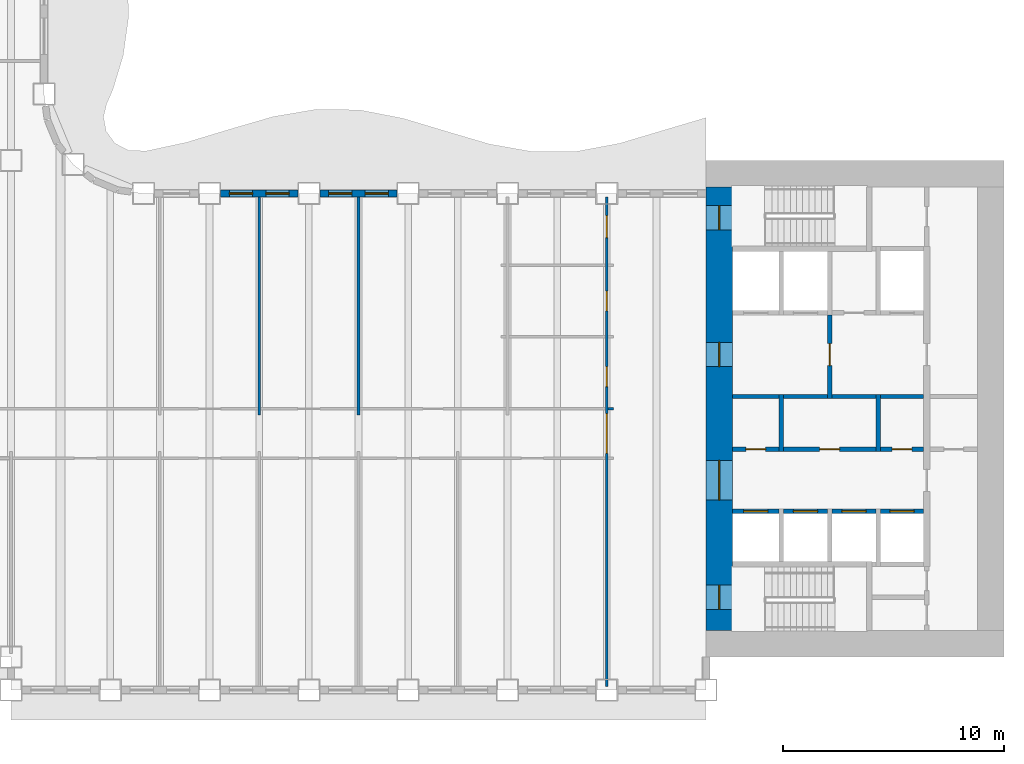
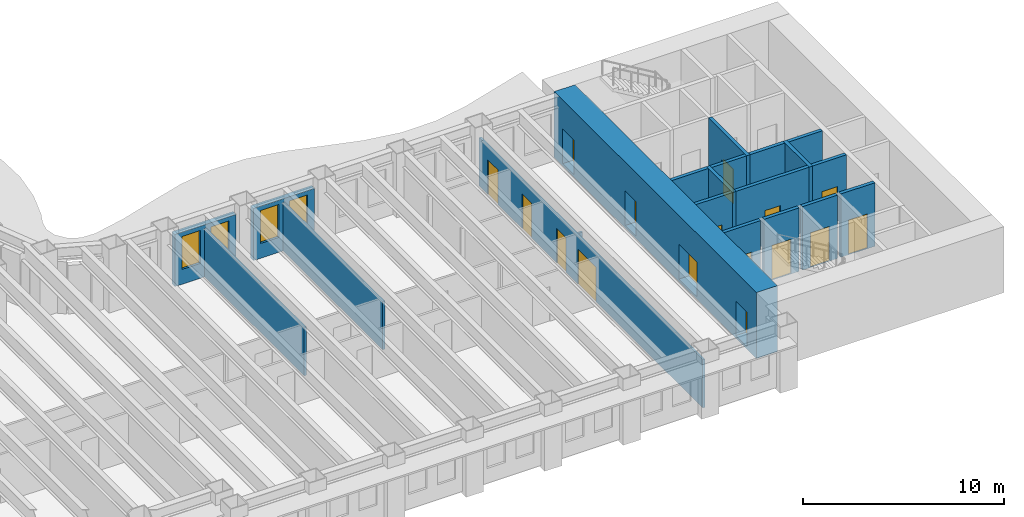
# One storey, part 6 of 16: 21 walls, 16 doors, 4 windows, 20 openings.
"""IFC4 building model written with IfcOpenShell, lengths in metres."""

from ifc_helpers import new_model, si_unit, direction, frame, frame_2d, origin, place, context, subcontext, project, spatial, rectangle, extrude, material, layer, layer_set, type_object, element, fill, save


model = new_model("IFC4")

# Units and contexts
model_context = context("Model", 3, precision=1e-05, world=origin(), true_north=direction((0.0, 1.0)))
body_context = subcontext(model_context, "Body", "Model", "MODEL_VIEW")
ifc_project = project(units=[si_unit("LENGTHUNIT", "METRE"), si_unit("AREAUNIT", "SQUARE_METRE"), si_unit("VOLUMEUNIT", "CUBIC_METRE"), si_unit("PLANEANGLEUNIT", "RADIAN"), si_unit("MASSUNIT", "GRAM", prefix="KILO")], contexts=[model_context])

# Site, building, storey
site_placement = place(None, origin())
site = spatial("IfcSite", under=ifc_project, at=site_placement, CompositionType="ELEMENT")
building_placement = place(site_placement, origin())
building = spatial("IfcBuilding", under=site, at=building_placement, Name="Sennacour Bend Tower", CompositionType="ELEMENT")
storey_placement = place(building_placement, frame((0.0, 0.0, 99.0)))
storey = spatial("IfcBuildingStorey", under=building, at=storey_placement, Name="L22", CompositionType="ELEMENT", Elevation=99.0)

# Wall, openings, doors
ifc_material_1 = material(Name="Concrete C80/95", Category="concrete")
ifc_layer_1 = layer(ifc_material_1, 1.199951171875, Name="Concrete C80/95", Category="concrete")
ifc_layer_set_1 = layer_set([ifc_layer_1], Name="Concrete C80/95")
wall_type_1 = type_object("IfcWallType", Name="Core wall 1200 C80/95", PredefinedType="SHEAR", material=ifc_layer_set_1)
wall_1_placement = place(storey_placement, frame((54.60009765625, 1.199951171875, -0.14990234375), z_axis=(0.0, 0.0, 1.0), x_axis=(0.0, 1.0, 0.0)))
wall_1 = element("IfcWall", 1, at=wall_1_placement, inside=storey, type_object=wall_type_1, Name="Core A wall L22 W", PredefinedType="SHEAR", context=body_context, shape_type="SweptSolid", body=[
    extrude(rectangle(XDim=20.10009765625, YDim=1.199951171875, at=frame_2d((10.050048828125, 0.0))), origin(), (0.0, 0.0, 1.0), 4.0),
])
opening_1_placement = place(wall_1_placement, frame((5.89990234375, 0.0, 0.14990234375)))
opening_1 = element("IfcOpeningElement", 2, at=opening_1_placement, cuts=wall_1, Name="Opening CD", PredefinedType="OPENING", context=body_context, shape_type="SweptSolid", body=[
    extrude(rectangle(XDim=1.800048828125, YDim=2.10009765625, at=frame_2d((0.89990234375, 1.050048828125))), frame((0.0, 0.60986328125, 0.0), z_axis=(0.0, -1.0, 0.0), x_axis=(1.0, 0.0, 0.0)), (0.0, 0.0, 1.0), 1.219970703125),
])
opening_2_placement = place(wall_1_placement, frame((11.949951171875, 0.0, 0.14990234375)))
opening_2 = element("IfcOpeningElement", 3, at=opening_2_placement, cuts=wall_1, Name="Opening FD", PredefinedType="OPENING", context=body_context, shape_type="SweptSolid", body=[
    extrude(rectangle(XDim=1.10009765625, YDim=2.10009765625, at=frame_2d((0.550048828125, 1.050048828125))), frame((0.0, 0.60986328125, 0.0), z_axis=(0.0, -1.0, 0.0), x_axis=(1.0, 0.0, 0.0)), (0.0, 0.0, 1.0), 1.219970703125),
])
opening_3_placement = place(wall_1_placement, frame((0.949951171875, 0.0, 0.14990234375)))
opening_3 = element("IfcOpeningElement", 4, at=opening_3_placement, cuts=wall_1, Name="Opening SD", PredefinedType="OPENING", context=body_context, shape_type="SweptSolid", body=[
    extrude(rectangle(XDim=1.10009765625, YDim=2.10009765625, at=frame_2d((0.550048828125, 1.050048828125))), frame((0.0, 0.60986328125, 0.0), z_axis=(0.0, -1.0, 0.0), x_axis=(1.0, 0.0, 0.0)), (0.0, 0.0, 1.0), 1.219970703125),
])
opening_4_placement = place(wall_1_placement, frame((18.14990234375, 0.0, 0.14990234375)))
opening_4 = element("IfcOpeningElement", 5, at=opening_4_placement, cuts=wall_1, Name="Opening SD", PredefinedType="OPENING", context=body_context, shape_type="SweptSolid", body=[
    extrude(rectangle(XDim=1.10009765625, YDim=2.10009765625, at=frame_2d((0.550048828125, 1.050048828125))), frame((0.0, 0.60986328125, 0.0), z_axis=(0.0, -1.0, 0.0), x_axis=(1.0, 0.0, 0.0)), (0.0, 0.0, 1.0), 1.219970703125),
])
ifc_material_2 = material(Name="Painted steel", Category="steel")
door_type_1 = type_object("IfcDoorType", Name="DR-FFL-1100", OperationType="NOTDEFINED", PredefinedType="DOOR", material=ifc_material_2)
door_1_placement = place(opening_2_placement, origin())
door_1 = element("IfcDoor", 6, at=door_1_placement, inside=storey, type_object=door_type_1, Name="Door", OperationType="SINGLE_SWING_RIGHT", OverallHeight=2.10009765625, OverallWidth=1.10009765625, PredefinedType="DOOR", context=body_context, shape_type="SweptSolid", body=[
    extrude(rectangle(XDim=1.10009765625, YDim=2.10009765625, at=frame_2d((0.550048828125, 1.050048828125))), frame((0.0, 0.02490234375, 0.0), z_axis=(0.0, -1.0, 0.0), x_axis=(1.0, 0.0, 0.0)), (0.0, 0.0, 1.0), 0.050048828125),
])
fill(opening_2, door_1)
door_type_2 = type_object("IfcDoorType", Name="DR-LOBBY-1800", OperationType="NOTDEFINED", PredefinedType="DOOR", material=ifc_material_2)
door_2_placement = place(opening_1_placement, origin())
door_2 = element("IfcDoor", 7, at=door_2_placement, inside=storey, type_object=door_type_2, Name="Door", OperationType="DOUBLE_DOOR_SINGLE_SWING", OverallHeight=2.10009765625, OverallWidth=1.800048828125, PredefinedType="DOOR", context=body_context, shape_type="SweptSolid", body=[
    extrude(rectangle(XDim=1.800048828125, YDim=2.10009765625, at=frame_2d((0.89990234375, 1.050048828125))), frame((0.0, 0.02490234375, 0.0), z_axis=(0.0, -1.0, 0.0), x_axis=(1.0, 0.0, 0.0)), (0.0, 0.0, 1.0), 0.050048828125),
])
fill(opening_1, door_2)
door_type_3 = type_object("IfcDoorType", Name="DR-STAIR-1100", OperationType="NOTDEFINED", PredefinedType="DOOR", material=ifc_material_2)
door_3_placement = place(opening_3_placement, origin())
door_3 = element("IfcDoor", 8, at=door_3_placement, inside=storey, type_object=door_type_3, Name="Door", OperationType="SINGLE_SWING_LEFT", OverallHeight=2.10009765625, OverallWidth=1.10009765625, PredefinedType="DOOR", context=body_context, shape_type="SweptSolid", body=[
    extrude(rectangle(XDim=1.10009765625, YDim=2.10009765625, at=frame_2d((0.550048828125, 1.050048828125))), frame((0.0, 0.02490234375, 0.0), z_axis=(0.0, -1.0, 0.0), x_axis=(1.0, 0.0, 0.0)), (0.0, 0.0, 1.0), 0.050048828125),
])
fill(opening_3, door_3)
door_4_placement = place(opening_4_placement, origin())
door_4 = element("IfcDoor", 9, at=door_4_placement, inside=storey, type_object=door_type_3, Name="Door", OperationType="SINGLE_SWING_RIGHT", OverallHeight=2.10009765625, OverallWidth=1.10009765625, PredefinedType="DOOR", context=body_context, shape_type="SweptSolid", body=[
    extrude(rectangle(XDim=1.10009765625, YDim=2.10009765625, at=frame_2d((0.550048828125, 1.050048828125))), frame((0.0, 0.02490234375, 0.0), z_axis=(0.0, -1.0, 0.0), x_axis=(1.0, 0.0, 0.0)), (0.0, 0.0, 1.0), 0.050048828125),
])
fill(opening_4, door_4)

# Walls
ifc_material_3 = material(Name="Plasterboard partition on steel studs", Category="steel")
ifc_layer_2 = layer(ifc_material_3, 0.1201171875, Name="Plasterboard partition on steel studs", Category="steel")
ifc_layer_set_2 = layer_set([ifc_layer_2], Name="Plasterboard partition on steel studs")
wall_type_2 = type_object("IfcWallType", Name="Partition 120", PredefinedType="PARTITIONING", material=ifc_layer_set_2)
for number, where, z_axis, x_axis, name in (
    (10, (33.75, 10.949951171875, 0.0), (0.0, 0.0, 1.0), (0.0, 1.0, 0.0), "P-L22-W028a"),
    (11, (38.25, 10.949951171875, 0.0), (0.0, 0.0, 1.0), (0.0, 1.0, 0.0), "P-L22-W030a"),
):
    element("IfcWall", number, at=place(storey_placement, frame(where, z_axis=z_axis, x_axis=x_axis)), inside=storey, type_object=wall_type_2, Name=name, PredefinedType="PARTITIONING", context=body_context, shape_type="SweptSolid", body=[
        extrude(rectangle(XDim=9.900146484375, YDim=0.1201171875, at=frame_2d((4.9501953125, 0.0))), origin(), (0.0, 0.0, 1.0), 2.93798828125),
    ])
wall_2_placement = place(storey_placement, frame((49.56005859375, 11.25, 0.0), z_axis=(0.0, 0.0, 1.0), x_axis=(1.0, 0.0, 0.0)))
element("IfcWall", 12, at=wall_2_placement, inside=storey, type_object=wall_type_2, Name="P-L22-W060ah", PredefinedType="PARTITIONING", context=body_context, shape_type="SweptSolid", body=[
    extrude(rectangle(XDim=0.239990234375, YDim=0.1201171875, at=frame_2d((0.1201171875, 0.0))), origin(), (0.0, 0.0, 1.0), 2.93798828125),
])

# Wall, openings, doors
ifc_layer_3 = layer(ifc_material_3, 0.1201171875, Name="Plasterboard partition on steel studs", Category="steel")
ifc_layer_set_3 = layer_set([ifc_layer_3], Name="Plasterboard partition on steel studs")
wall_type_3 = type_object("IfcWallType", Name="Partition 120 EI 30", PredefinedType="PARTITIONING", material=ifc_layer_set_3)
wall_3_placement = place(storey_placement, frame((49.5, -1.35009765625, 0.0), z_axis=(0.0, 0.0, 1.0), x_axis=(0.0, 1.0, 0.0)))
wall_3 = element("IfcWall", 13, at=wall_3_placement, inside=storey, type_object=wall_type_3, Name="P-L22-W033a", PredefinedType="PARTITIONING", context=body_context, shape_type="SweptSolid", body=[
    extrude(rectangle(XDim=22.2001953125, YDim=0.1201171875, at=frame_2d((11.10009765625, 0.0))), origin(), (0.0, 0.0, 1.0), 2.93798828125),
])
opening_5_placement = place(wall_3_placement, frame((10.5751953125, 0.0, 0.0)))
opening_5 = element("IfcOpeningElement", 14, at=opening_5_placement, cuts=wall_3, Name="Opening KD3", PredefinedType="OPENING", context=body_context, shape_type="SweptSolid", body=[
    extrude(rectangle(XDim=1.800048828125, YDim=2.10009765625, at=frame_2d((0.89990234375, 1.050048828125))), frame((0.0, 0.070068359375, 0.0), z_axis=(0.0, -1.0, 0.0), x_axis=(1.0, 0.0, 0.0)), (0.0, 0.0, 1.0), 0.14013671875),
])
opening_6_placement = place(wall_3_placement, frame((13.60009765625, 0.0, 0.0)))
opening_6 = element("IfcOpeningElement", 15, at=opening_6_placement, cuts=wall_3, Name="Opening WD", PredefinedType="OPENING", context=body_context, shape_type="SweptSolid", body=[
    extrude(rectangle(XDim=0.89990234375, YDim=2.10009765625, at=frame_2d((0.449951171875, 1.050048828125))), frame((0.0, 0.070068359375, 0.0), z_axis=(0.0, -1.0, 0.0), x_axis=(1.0, 0.0, 0.0)), (0.0, 0.0, 1.0), 0.14013671875),
])
opening_7_placement = place(wall_3_placement, frame((17.025146484375, 0.0, 0.0)))
opening_7 = element("IfcOpeningElement", 16, at=opening_7_placement, cuts=wall_3, Name="Opening WD", PredefinedType="OPENING", context=body_context, shape_type="SweptSolid", body=[
    extrude(rectangle(XDim=0.89990234375, YDim=2.10009765625, at=frame_2d((0.449951171875, 1.050048828125))), frame((0.0, 0.070068359375, 0.0), z_axis=(0.0, -1.0, 0.0), x_axis=(1.0, 0.0, 0.0)), (0.0, 0.0, 1.0), 0.14013671875),
])
opening_8_placement = place(wall_3_placement, frame((20.35009765625, 0.0, 0.0)))
opening_8 = element("IfcOpeningElement", 17, at=opening_8_placement, cuts=wall_3, Name="Opening AD", PredefinedType="OPENING", context=body_context, shape_type="SweptSolid", body=[
    extrude(rectangle(XDim=1.0, YDim=2.10009765625, at=frame_2d((0.5, 1.050048828125))), frame((0.0, 0.070068359375, 0.0), z_axis=(0.0, -1.0, 0.0), x_axis=(1.0, 0.0, 0.0)), (0.0, 0.0, 1.0), 0.14013671875),
])
ifc_material_4 = material(Name="Timber", Category="wood")
door_type_4 = type_object("IfcDoorType", Name="DR-ACC-WC-1000", OperationType="NOTDEFINED", PredefinedType="DOOR", material=ifc_material_4)
door_5_placement = place(opening_8_placement, origin())
door_5 = element("IfcDoor", 18, at=door_5_placement, inside=storey, type_object=door_type_4, Name="Door", OperationType="SINGLE_SWING_RIGHT", OverallHeight=2.10009765625, OverallWidth=1.0, PredefinedType="DOOR", context=body_context, shape_type="SweptSolid", body=[
    extrude(rectangle(XDim=1.0, YDim=2.10009765625, at=frame_2d((0.5, 1.050048828125))), frame((0.0, 0.02490234375, 0.0), z_axis=(0.0, -1.0, 0.0), x_axis=(1.0, 0.0, 0.0)), (0.0, 0.0, 1.0), 0.050048828125),
])
fill(opening_8, door_5)
door_type_5 = type_object("IfcDoorType", Name="DR-CORRIDOR-1800", OperationType="NOTDEFINED", PredefinedType="DOOR", material=ifc_material_2)
door_6_placement = place(opening_5_placement, origin())
door_6 = element("IfcDoor", 19, at=door_6_placement, inside=storey, type_object=door_type_5, Name="Door", OperationType="DOUBLE_DOOR_SINGLE_SWING", OverallHeight=2.10009765625, OverallWidth=1.800048828125, PredefinedType="DOOR", context=body_context, shape_type="SweptSolid", body=[
    extrude(rectangle(XDim=1.800048828125, YDim=2.10009765625, at=frame_2d((0.89990234375, 1.050048828125))), frame((0.0, 0.02490234375, 0.0), z_axis=(0.0, -1.0, 0.0), x_axis=(1.0, 0.0, 0.0)), (0.0, 0.0, 1.0), 0.050048828125),
])
fill(opening_5, door_6)
door_type_6 = type_object("IfcDoorType", Name="DR-WC-900", OperationType="NOTDEFINED", PredefinedType="DOOR", material=ifc_material_4)
door_7_placement = place(opening_6_placement, origin())
door_7 = element("IfcDoor", 20, at=door_7_placement, inside=storey, type_object=door_type_6, Name="Door", OperationType="SINGLE_SWING_RIGHT", OverallHeight=2.10009765625, OverallWidth=0.89990234375, PredefinedType="DOOR", context=body_context, shape_type="SweptSolid", body=[
    extrude(rectangle(XDim=0.89990234375, YDim=2.10009765625, at=frame_2d((0.449951171875, 1.050048828125))), frame((0.0, 0.02490234375, 0.0), z_axis=(0.0, -1.0, 0.0), x_axis=(1.0, 0.0, 0.0)), (0.0, 0.0, 1.0), 0.050048828125),
])
fill(opening_6, door_7)
door_8_placement = place(opening_7_placement, origin())
door_8 = element("IfcDoor", 21, at=door_8_placement, inside=storey, type_object=door_type_6, Name="Door", OperationType="SINGLE_SWING_RIGHT", OverallHeight=2.10009765625, OverallWidth=0.89990234375, PredefinedType="DOOR", context=body_context, shape_type="SweptSolid", body=[
    extrude(rectangle(XDim=0.89990234375, YDim=2.10009765625, at=frame_2d((0.449951171875, 1.050048828125))), frame((0.0, 0.02490234375, 0.0), z_axis=(0.0, -1.0, 0.0), x_axis=(1.0, 0.0, 0.0)), (0.0, 0.0, 1.0), 0.050048828125),
])
fill(opening_7, door_8)

# Walls
ifc_material_5 = material(Name="Fire-rated plasterboard partition on steel studs", Category="steel")
ifc_layer_4 = layer(ifc_material_5, 0.199951171875, Name="Fire-rated plasterboard partition on steel studs", Category="steel")
ifc_layer_set_4 = layer_set([ifc_layer_4], Name="Fire-rated plasterboard partition on steel studs")
wall_type_4 = type_object("IfcWallType", Name="Rated partition 200", PredefinedType="PARTITIONING", material=ifc_layer_set_4)
for number, where, z_axis, x_axis, name in (
    (22, (57.39990234375, 9.300048828125, 0.0), (0.0, 0.0, 1.0), (0.0, 1.0, 0.0), "P-L22-W036"),
    (23, (61.800048828125, 9.300048828125, 0.0), (0.0, 0.0, 1.0), (0.0, 1.0, 0.0), "P-L22-W044"),
):
    element("IfcWall", number, at=place(storey_placement, frame(where, z_axis=z_axis, x_axis=x_axis)), inside=storey, type_object=wall_type_4, Name=name, PredefinedType="PARTITIONING", context=body_context, shape_type="SweptSolid", body=[
        extrude(rectangle(XDim=2.599853515625, YDim=0.199951171875, at=frame_2d((1.2998046875, 0.0))), origin(), (0.0, 0.0, 1.0), 3.85009765625),
    ])

# Wall, opening, door
wall_4_placement = place(storey_placement, frame((55.199951171875, 9.39990234375, 0.0), z_axis=(0.0, 0.0, 1.0), x_axis=(1.0, 0.0, 0.0)))
wall_4 = element("IfcWall", 24, at=wall_4_placement, inside=storey, type_object=wall_type_4, Name="P-L22-W059a", PredefinedType="PARTITIONING", context=body_context, shape_type="SweptSolid", body=[
    extrude(rectangle(XDim=2.10009765625, YDim=0.199951171875, at=frame_2d((1.050048828125, 0.0))), origin(), (0.0, 0.0, 1.0), 3.85009765625),
])
opening_9_placement = place(wall_4_placement, frame((0.60009765625, 0.0, 0.0)))
opening_9 = element("IfcOpeningElement", 25, at=opening_9_placement, cuts=wall_4, Name="Opening SV", PredefinedType="OPENING", context=body_context, shape_type="SweptSolid", body=[
    extrude(rectangle(XDim=0.89990234375, YDim=2.10009765625, at=frame_2d((0.449951171875, 1.050048828125))), frame((0.0, 0.10986328125, 0.0), z_axis=(0.0, -1.0, 0.0), x_axis=(1.0, 0.0, 0.0)), (0.0, 0.0, 1.0), 0.219970703125),
])
door_type_7 = type_object("IfcDoorType", Name="DR-SERVICE-900", OperationType="NOTDEFINED", PredefinedType="DOOR", material=ifc_material_2)
door_9_placement = place(opening_9_placement, origin())
door_9 = element("IfcDoor", 26, at=door_9_placement, inside=storey, type_object=door_type_7, Name="Door", OperationType="SINGLE_SWING_LEFT", OverallHeight=2.10009765625, OverallWidth=0.89990234375, PredefinedType="DOOR", context=body_context, shape_type="SweptSolid", body=[
    extrude(rectangle(XDim=0.89990234375, YDim=2.10009765625, at=frame_2d((0.449951171875, 1.050048828125))), frame((0.0, 0.02490234375, 0.0), z_axis=(0.0, -1.0, 0.0), x_axis=(1.0, 0.0, 0.0)), (0.0, 0.0, 1.0), 0.050048828125),
])
fill(opening_9, door_9)

wall_5_placement = place(storey_placement, frame((57.5, 9.39990234375, 0.0), z_axis=(0.0, 0.0, 1.0), x_axis=(1.0, 0.0, 0.0)))
wall_5 = element("IfcWall", 27, at=wall_5_placement, inside=storey, type_object=wall_type_4, Name="P-L22-W059b", PredefinedType="PARTITIONING", context=body_context, shape_type="SweptSolid", body=[
    extrude(rectangle(XDim=4.199951171875, YDim=0.199951171875, at=frame_2d((2.10009765625, 0.0))), origin(), (0.0, 0.0, 1.0), 3.85009765625),
])
opening_10_placement = place(wall_5_placement, frame((1.64990234375, 0.0, 0.0)))
opening_10 = element("IfcOpeningElement", 28, at=opening_10_placement, cuts=wall_5, Name="Opening WD", PredefinedType="OPENING", context=body_context, shape_type="SweptSolid", body=[
    extrude(rectangle(XDim=0.89990234375, YDim=2.10009765625, at=frame_2d((0.449951171875, 1.050048828125))), frame((0.0, 0.10986328125, 0.0), z_axis=(0.0, -1.0, 0.0), x_axis=(1.0, 0.0, 0.0)), (0.0, 0.0, 1.0), 0.219970703125),
])
door_10_placement = place(opening_10_placement, origin())
door_10 = element("IfcDoor", 29, at=door_10_placement, inside=storey, type_object=door_type_6, Name="Door", OperationType="SINGLE_SWING_RIGHT", OverallHeight=2.10009765625, OverallWidth=0.89990234375, PredefinedType="DOOR", context=body_context, shape_type="SweptSolid", body=[
    extrude(rectangle(XDim=0.89990234375, YDim=2.10009765625, at=frame_2d((0.449951171875, 1.050048828125))), frame((0.0, 0.02490234375, 0.0), z_axis=(0.0, -1.0, 0.0), x_axis=(1.0, 0.0, 0.0)), (0.0, 0.0, 1.0), 0.050048828125),
])
fill(opening_10, door_10)

wall_6_placement = place(storey_placement, frame((61.89990234375, 9.39990234375, 0.0), z_axis=(0.0, 0.0, 1.0), x_axis=(1.0, 0.0, 0.0)))
wall_6 = element("IfcWall", 30, at=wall_6_placement, inside=storey, type_object=wall_type_4, Name="P-L22-W059c", PredefinedType="PARTITIONING", context=body_context, shape_type="SweptSolid", body=[
    extrude(rectangle(XDim=1.9501953125, YDim=0.199951171875, at=frame_2d((0.97509765625, 0.0))), origin(), (0.0, 0.0, 1.0), 3.85009765625),
])
opening_11_placement = place(wall_6_placement, frame((0.525146484375, 0.0, 0.0)))
opening_11 = element("IfcOpeningElement", 31, at=opening_11_placement, cuts=wall_6, Name="Opening SV", PredefinedType="OPENING", context=body_context, shape_type="SweptSolid", body=[
    extrude(rectangle(XDim=0.89990234375, YDim=2.10009765625, at=frame_2d((0.449951171875, 1.050048828125))), frame((0.0, 0.10986328125, 0.0), z_axis=(0.0, -1.0, 0.0), x_axis=(1.0, 0.0, 0.0)), (0.0, 0.0, 1.0), 0.219970703125),
])
door_11_placement = place(opening_11_placement, origin())
door_11 = element("IfcDoor", 32, at=door_11_placement, inside=storey, type_object=door_type_7, Name="Door", OperationType="SINGLE_SWING_LEFT", OverallHeight=2.10009765625, OverallWidth=0.89990234375, PredefinedType="DOOR", context=body_context, shape_type="SweptSolid", body=[
    extrude(rectangle(XDim=0.89990234375, YDim=2.10009765625, at=frame_2d((0.449951171875, 1.050048828125))), frame((0.0, 0.02490234375, 0.0), z_axis=(0.0, -1.0, 0.0), x_axis=(1.0, 0.0, 0.0)), (0.0, 0.0, 1.0), 0.050048828125),
])
fill(opening_11, door_11)

# Walls
wall_7_placement = place(storey_placement, frame((55.199951171875, 11.800048828125, 0.0), z_axis=(0.0, 0.0, 1.0), x_axis=(1.0, 0.0, 0.0)))
element("IfcWall", 33, at=wall_7_placement, inside=storey, type_object=wall_type_4, Name="P-L22-W061a", PredefinedType="PARTITIONING", context=body_context, shape_type="SweptSolid", body=[
    extrude(rectangle(XDim=2.10009765625, YDim=0.199951171875, at=frame_2d((1.050048828125, 0.0))), origin(), (0.0, 0.0, 1.0), 3.85009765625),
])
for number, where, z_axis, x_axis, name in (
    (34, (57.5, 11.800048828125, 0.0), (0.0, 0.0, 1.0), (1.0, 0.0, 0.0), "P-L22-W061b"),
    (35, (59.699951171875, 11.800048828125, 0.0), (0.0, 0.0, 1.0), (1.0, 0.0, 0.0), "P-L22-W061c"),
):
    element("IfcWall", number, at=place(storey_placement, frame(where, z_axis=z_axis, x_axis=x_axis)), inside=storey, type_object=wall_type_4, Name=name, PredefinedType="PARTITIONING", context=body_context, shape_type="SweptSolid", body=[
        extrude(rectangle(XDim=2.0, YDim=0.199951171875, at=frame_2d((1.0, 0.0))), origin(), (0.0, 0.0, 1.0), 3.85009765625),
    ])
wall_8_placement = place(storey_placement, frame((61.89990234375, 11.800048828125, 0.0), z_axis=(0.0, 0.0, 1.0), x_axis=(1.0, 0.0, 0.0)))
element("IfcWall", 36, at=wall_8_placement, inside=storey, type_object=wall_type_4, Name="P-L22-W061d", PredefinedType="PARTITIONING", context=body_context, shape_type="SweptSolid", body=[
    extrude(rectangle(XDim=1.9501953125, YDim=0.199951171875, at=frame_2d((0.97509765625, 0.0))), origin(), (0.0, 0.0, 1.0), 3.85009765625),
])

# Wall, opening, door
ifc_layer_5 = layer(ifc_material_5, 0.199951171875, Name="Fire-rated plasterboard partition on steel studs", Category="steel")
ifc_layer_set_5 = layer_set([ifc_layer_5], Name="Fire-rated plasterboard partition on steel studs")
wall_type_5 = type_object("IfcWallType", Name="Rated partition 200 EI 90", PredefinedType="PARTITIONING", material=ifc_layer_set_5)
wall_9_placement = place(storey_placement, frame((59.60009765625, 11.699951171875, 0.0), z_axis=(0.0, 0.0, 1.0), x_axis=(0.0, 1.0, 0.0)))
wall_9 = element("IfcWall", 37, at=wall_9_placement, inside=storey, type_object=wall_type_5, Name="P-L22-W039", PredefinedType="PARTITIONING", context=body_context, shape_type="SweptSolid", body=[
    extrude(rectangle(XDim=3.800048828125, YDim=0.199951171875, at=frame_2d((1.89990234375, 0.0))), origin(), (0.0, 0.0, 1.0), 3.85009765625),
])
opening_12_placement = place(wall_9_placement, frame((1.5, 0.0, 0.0)))
opening_12 = element("IfcOpeningElement", 38, at=opening_12_placement, cuts=wall_9, Name="Opening FD2", PredefinedType="OPENING", context=body_context, shape_type="SweptSolid", body=[
    extrude(rectangle(XDim=1.0, YDim=2.10009765625, at=frame_2d((0.5, 1.050048828125))), frame((0.0, 0.10986328125, 0.0), z_axis=(0.0, -1.0, 0.0), x_axis=(1.0, 0.0, 0.0)), (0.0, 0.0, 1.0), 0.219970703125),
])
door_type_8 = type_object("IfcDoorType", Name="DR-FFL-1000", OperationType="NOTDEFINED", PredefinedType="DOOR", material=ifc_material_2)
door_12_placement = place(opening_12_placement, origin())
door_12 = element("IfcDoor", 39, at=door_12_placement, inside=storey, type_object=door_type_8, Name="Door", OperationType="SINGLE_SWING_RIGHT", OverallHeight=2.10009765625, OverallWidth=1.0, PredefinedType="DOOR", context=body_context, shape_type="SweptSolid", body=[
    extrude(rectangle(XDim=1.0, YDim=2.10009765625, at=frame_2d((0.5, 1.050048828125))), frame((0.0, 0.02490234375, 0.0), z_axis=(0.0, -1.0, 0.0), x_axis=(1.0, 0.0, 0.0)), (0.0, 0.0, 1.0), 0.050048828125),
])
fill(opening_12, door_12)

# Wall, openings, windows
ifc_material_6 = material(Name="Warm limestone cladding", Category="masonry")
ifc_layer_6 = layer(ifc_material_6, 0.050048828125, Name="Warm limestone cladding", Category="masonry")
ifc_material_7 = material(Name="Precast concrete C40/50", Category="concrete")
ifc_layer_7 = layer(ifc_material_7, 0.25, Name="Precast concrete C40/50", Category="concrete")
ifc_layer_set_6 = layer_set([ifc_layer_6, ifc_layer_7], Name="Precast concrete C40/50 with limestone cladding")
wall_type_6 = type_object("IfcWallType", Name="STONE-CLAD PRECAST SPANDREL 300", PredefinedType="STANDARD", material=ifc_layer_set_6)
wall_10_placement = place(storey_placement, frame((40.0, 21.0, 0.0), z_axis=(0.0, 0.0, 1.0), x_axis=(-1.0, 0.0, 0.0)))
wall_10 = element("IfcWall", 40, at=wall_10_placement, inside=storey, type_object=wall_type_6, Name="Stone spandrel and pier wall L22 06.03", PredefinedType="STANDARD", context=body_context, shape_type="SweptSolid", body=[
    extrude(rectangle(XDim=3.5, YDim=0.300048828125, at=frame_2d((1.75, 0.0))), origin(), (0.0, 0.0, 1.0), 3.154052734375),
])
opening_13_placement = place(wall_10_placement, frame((0.39990234375, 0.0, 0.89990234375)))
opening_13 = element("IfcOpeningElement", 41, at=opening_13_placement, cuts=wall_10, Name="Opening W13", PredefinedType="OPENING", context=body_context, shape_type="SweptSolid", body=[
    extrude(rectangle(XDim=1.050048828125, YDim=2.0, at=frame_2d((0.52490234375, 1.0))), frame((0.0, 0.16015625, 0.0), z_axis=(0.0, -1.0, 0.0), x_axis=(1.0, 0.0, 0.0)), (0.0, 0.0, 1.0), 0.320068359375),
])
opening_14_placement = place(wall_10_placement, frame((2.050048828125, 0.0, 0.89990234375)))
opening_14 = element("IfcOpeningElement", 42, at=opening_14_placement, cuts=wall_10, Name="Opening W13", PredefinedType="OPENING", context=body_context, shape_type="SweptSolid", body=[
    extrude(rectangle(XDim=1.050048828125, YDim=2.0, at=frame_2d((0.52490234375, 1.0))), frame((0.0, 0.16015625, 0.0), z_axis=(0.0, -1.0, 0.0), x_axis=(1.0, 0.0, 0.0)), (0.0, 0.0, 1.0), 0.320068359375),
])
ifc_material_8 = material(Name="Clear low-emissivity glass", Category="glass")
window_type = type_object("IfcWindowType", Name="WIN-RIBBON-1050x2000", PartitioningType="SINGLE_PANEL", PredefinedType="WINDOW", material=ifc_material_8)
window_1_placement = place(opening_13_placement, origin())
window_1 = element("IfcWindow", 43, at=window_1_placement, inside=storey, type_object=window_type, Name="Ribbon window L22 06.03.0", OverallHeight=2.0, OverallWidth=1.050048828125, PartitioningType="SINGLE_PANEL", PredefinedType="WINDOW", context=body_context, shape_type="SweptSolid", body=[
    extrude(rectangle(XDim=1.050048828125, YDim=2.0, at=frame_2d((0.52490234375, 1.0))), frame((0.0, 0.030029296875, 0.0), z_axis=(0.0, -1.0, 0.0), x_axis=(1.0, 0.0, 0.0)), (0.0, 0.0, 1.0), 0.06005859375),
])
fill(opening_13, window_1)
window_2_placement = place(opening_14_placement, origin())
window_2 = element("IfcWindow", 44, at=window_2_placement, inside=storey, type_object=window_type, Name="Ribbon window L22 06.03.1", OverallHeight=2.0, OverallWidth=1.050048828125, PartitioningType="SINGLE_PANEL", PredefinedType="WINDOW", context=body_context, shape_type="SweptSolid", body=[
    extrude(rectangle(XDim=1.050048828125, YDim=2.0, at=frame_2d((0.52490234375, 1.0))), frame((0.0, 0.030029296875, 0.0), z_axis=(0.0, -1.0, 0.0), x_axis=(1.0, 0.0, 0.0)), (0.0, 0.0, 1.0), 0.06005859375),
])
fill(opening_14, window_2)

wall_11_placement = place(storey_placement, frame((35.5, 21.0, 0.0), z_axis=(0.0, 0.0, 1.0), x_axis=(-1.0, 0.0, 0.0)))
wall_11 = element("IfcWall", 45, at=wall_11_placement, inside=storey, type_object=wall_type_6, Name="Stone spandrel and pier wall L22 06.04", PredefinedType="STANDARD", context=body_context, shape_type="SweptSolid", body=[
    extrude(rectangle(XDim=3.5, YDim=0.300048828125, at=frame_2d((1.75, 0.0))), origin(), (0.0, 0.0, 1.0), 3.154052734375),
])
opening_15_placement = place(wall_11_placement, frame((0.39990234375, 0.0, 0.89990234375)))
opening_15 = element("IfcOpeningElement", 46, at=opening_15_placement, cuts=wall_11, Name="Opening W13", PredefinedType="OPENING", context=body_context, shape_type="SweptSolid", body=[
    extrude(rectangle(XDim=1.050048828125, YDim=2.0, at=frame_2d((0.52490234375, 1.0))), frame((0.0, 0.16015625, 0.0), z_axis=(0.0, -1.0, 0.0), x_axis=(1.0, 0.0, 0.0)), (0.0, 0.0, 1.0), 0.320068359375),
])
opening_16_placement = place(wall_11_placement, frame((2.050048828125, 0.0, 0.89990234375)))
opening_16 = element("IfcOpeningElement", 47, at=opening_16_placement, cuts=wall_11, Name="Opening W13", PredefinedType="OPENING", context=body_context, shape_type="SweptSolid", body=[
    extrude(rectangle(XDim=1.050048828125, YDim=2.0, at=frame_2d((0.52490234375, 1.0))), frame((0.0, 0.16015625, 0.0), z_axis=(0.0, -1.0, 0.0), x_axis=(1.0, 0.0, 0.0)), (0.0, 0.0, 1.0), 0.320068359375),
])
window_3_placement = place(opening_15_placement, origin())
window_3 = element("IfcWindow", 48, at=window_3_placement, inside=storey, type_object=window_type, Name="Ribbon window L22 06.04.0", OverallHeight=2.0, OverallWidth=1.050048828125, PartitioningType="SINGLE_PANEL", PredefinedType="WINDOW", context=body_context, shape_type="SweptSolid", body=[
    extrude(rectangle(XDim=1.050048828125, YDim=2.0, at=frame_2d((0.52490234375, 1.0))), frame((0.0, 0.030029296875, 0.0), z_axis=(0.0, -1.0, 0.0), x_axis=(1.0, 0.0, 0.0)), (0.0, 0.0, 1.0), 0.06005859375),
])
fill(opening_15, window_3)
window_4_placement = place(opening_16_placement, origin())
window_4 = element("IfcWindow", 49, at=window_4_placement, inside=storey, type_object=window_type, Name="Ribbon window L22 06.04.1", OverallHeight=2.0, OverallWidth=1.050048828125, PartitioningType="SINGLE_PANEL", PredefinedType="WINDOW", context=body_context, shape_type="SweptSolid", body=[
    extrude(rectangle(XDim=1.050048828125, YDim=2.0, at=frame_2d((0.52490234375, 1.0))), frame((0.0, 0.030029296875, 0.0), z_axis=(0.0, -1.0, 0.0), x_axis=(1.0, 0.0, 0.0)), (0.0, 0.0, 1.0), 0.06005859375),
])
fill(opening_16, window_4)

# Wall, opening, door
ifc_material_9 = material(Name="Concrete C50/60", Category="concrete")
ifc_layer_8 = layer(ifc_material_9, 0.199951171875, Name="Concrete C50/60", Category="concrete")
ifc_layer_set_7 = layer_set([ifc_layer_8], Name="Concrete C50/60")
wall_type_7 = type_object("IfcWallType", Name="Shaft wall 200", PredefinedType="SOLIDWALL", material=ifc_layer_set_7)
wall_12_placement = place(storey_placement, frame((55.199951171875, 6.60009765625, 0.0), z_axis=(0.0, 0.0, 1.0), x_axis=(1.0, 0.0, 0.0)))
wall_12 = element("IfcWall", 50, at=wall_12_placement, inside=storey, type_object=wall_type_7, Name="P-L22-W057a", PredefinedType="SOLIDWALL", context=body_context, shape_type="SweptSolid", body=[
    extrude(rectangle(XDim=2.10009765625, YDim=0.199951171875, at=frame_2d((1.050048828125, 0.0))), origin(), (0.0, 0.0, 1.0), 3.85009765625),
])
opening_17_placement = place(wall_12_placement, frame((0.5, 0.0, 0.011962890625)))
opening_17 = element("IfcOpeningElement", 51, at=opening_17_placement, cuts=wall_12, Name="Opening LD", PredefinedType="OPENING", context=body_context, shape_type="SweptSolid", body=[
    extrude(rectangle(XDim=1.10009765625, YDim=2.10009765625, at=frame_2d((0.550048828125, 1.050048828125))), frame((0.0, 0.10986328125, 0.0), z_axis=(0.0, -1.0, 0.0), x_axis=(1.0, 0.0, 0.0)), (0.0, 0.0, 1.0), 0.219970703125),
])
ifc_material_10 = material(Name="Stainless steel", Category="steel")
door_type_9 = type_object("IfcDoorType", Name="DR-LANDING-1100", OperationType="NOTDEFINED", PredefinedType="DOOR", material=ifc_material_10)
door_13_placement = place(opening_17_placement, origin())
door_13 = element("IfcDoor", 52, at=door_13_placement, inside=storey, type_object=door_type_9, Name="Lift landing door LA1", OperationType="SLIDING_TO_LEFT", OverallHeight=2.10009765625, OverallWidth=1.10009765625, PredefinedType="DOOR", context=body_context, shape_type="SweptSolid", body=[
    extrude(rectangle(XDim=1.10009765625, YDim=2.10009765625, at=frame_2d((0.550048828125, 1.050048828125))), frame((0.0, 0.02490234375, 0.0), z_axis=(0.0, -1.0, 0.0), x_axis=(1.0, 0.0, 0.0)), (0.0, 0.0, 1.0), 0.050048828125),
])
fill(opening_17, door_13)

wall_13_placement = place(storey_placement, frame((57.5, 6.60009765625, 0.0), z_axis=(0.0, 0.0, 1.0), x_axis=(1.0, 0.0, 0.0)))
wall_13 = element("IfcWall", 53, at=wall_13_placement, inside=storey, type_object=wall_type_7, Name="P-L22-W057b", PredefinedType="SOLIDWALL", context=body_context, shape_type="SweptSolid", body=[
    extrude(rectangle(XDim=2.0, YDim=0.199951171875, at=frame_2d((1.0, 0.0))), origin(), (0.0, 0.0, 1.0), 3.85009765625),
])
opening_18_placement = place(wall_13_placement, frame((0.449951171875, 0.0, 0.011962890625)))
opening_18 = element("IfcOpeningElement", 54, at=opening_18_placement, cuts=wall_13, Name="Opening LD", PredefinedType="OPENING", context=body_context, shape_type="SweptSolid", body=[
    extrude(rectangle(XDim=1.10009765625, YDim=2.10009765625, at=frame_2d((0.550048828125, 1.050048828125))), frame((0.0, 0.10986328125, 0.0), z_axis=(0.0, -1.0, 0.0), x_axis=(1.0, 0.0, 0.0)), (0.0, 0.0, 1.0), 0.219970703125),
])
door_14_placement = place(opening_18_placement, origin())
door_14 = element("IfcDoor", 55, at=door_14_placement, inside=storey, type_object=door_type_9, Name="Lift landing door LA2", OperationType="SLIDING_TO_RIGHT", OverallHeight=2.10009765625, OverallWidth=1.10009765625, PredefinedType="DOOR", context=body_context, shape_type="SweptSolid", body=[
    extrude(rectangle(XDim=1.10009765625, YDim=2.10009765625, at=frame_2d((0.550048828125, 1.050048828125))), frame((0.0, 0.02490234375, 0.0), z_axis=(0.0, -1.0, 0.0), x_axis=(1.0, 0.0, 0.0)), (0.0, 0.0, 1.0), 0.050048828125),
])
fill(opening_18, door_14)

wall_14_placement = place(storey_placement, frame((59.699951171875, 6.60009765625, 0.0), z_axis=(0.0, 0.0, 1.0), x_axis=(1.0, 0.0, 0.0)))
wall_14 = element("IfcWall", 56, at=wall_14_placement, inside=storey, type_object=wall_type_7, Name="P-L22-W057c", PredefinedType="SOLIDWALL", context=body_context, shape_type="SweptSolid", body=[
    extrude(rectangle(XDim=2.0, YDim=0.199951171875, at=frame_2d((1.0, 0.0))), origin(), (0.0, 0.0, 1.0), 3.85009765625),
])
opening_19_placement = place(wall_14_placement, frame((0.449951171875, 0.0, 0.011962890625)))
opening_19 = element("IfcOpeningElement", 57, at=opening_19_placement, cuts=wall_14, Name="Opening LD", PredefinedType="OPENING", context=body_context, shape_type="SweptSolid", body=[
    extrude(rectangle(XDim=1.10009765625, YDim=2.10009765625, at=frame_2d((0.550048828125, 1.050048828125))), frame((0.0, 0.10986328125, 0.0), z_axis=(0.0, -1.0, 0.0), x_axis=(1.0, 0.0, 0.0)), (0.0, 0.0, 1.0), 0.219970703125),
])
door_15_placement = place(opening_19_placement, origin())
door_15 = element("IfcDoor", 58, at=door_15_placement, inside=storey, type_object=door_type_9, Name="Lift landing door LA3", OperationType="SLIDING_TO_LEFT", OverallHeight=2.10009765625, OverallWidth=1.10009765625, PredefinedType="DOOR", context=body_context, shape_type="SweptSolid", body=[
    extrude(rectangle(XDim=1.10009765625, YDim=2.10009765625, at=frame_2d((0.550048828125, 1.050048828125))), frame((0.0, 0.02490234375, 0.0), z_axis=(0.0, -1.0, 0.0), x_axis=(1.0, 0.0, 0.0)), (0.0, 0.0, 1.0), 0.050048828125),
])
fill(opening_19, door_15)

wall_15_placement = place(storey_placement, frame((61.89990234375, 6.60009765625, 0.0), z_axis=(0.0, 0.0, 1.0), x_axis=(1.0, 0.0, 0.0)))
wall_15 = element("IfcWall", 59, at=wall_15_placement, inside=storey, type_object=wall_type_7, Name="P-L22-W057d", PredefinedType="SOLIDWALL", context=body_context, shape_type="SweptSolid", body=[
    extrude(rectangle(XDim=1.9501953125, YDim=0.199951171875, at=frame_2d((0.97509765625, 0.0))), origin(), (0.0, 0.0, 1.0), 3.85009765625),
])
opening_20_placement = place(wall_15_placement, frame((0.425048828125, 0.0, 0.011962890625)))
opening_20 = element("IfcOpeningElement", 60, at=opening_20_placement, cuts=wall_15, Name="Opening LD", PredefinedType="OPENING", context=body_context, shape_type="SweptSolid", body=[
    extrude(rectangle(XDim=1.10009765625, YDim=2.10009765625, at=frame_2d((0.550048828125, 1.050048828125))), frame((0.0, 0.10986328125, 0.0), z_axis=(0.0, -1.0, 0.0), x_axis=(1.0, 0.0, 0.0)), (0.0, 0.0, 1.0), 0.219970703125),
])
door_16_placement = place(opening_20_placement, origin())
door_16 = element("IfcDoor", 61, at=door_16_placement, inside=storey, type_object=door_type_9, Name="Lift landing door LA4", OperationType="SLIDING_TO_RIGHT", OverallHeight=2.10009765625, OverallWidth=1.10009765625, PredefinedType="DOOR", context=body_context, shape_type="SweptSolid", body=[
    extrude(rectangle(XDim=1.10009765625, YDim=2.10009765625, at=frame_2d((0.550048828125, 1.050048828125))), frame((0.0, 0.02490234375, 0.0), z_axis=(0.0, -1.0, 0.0), x_axis=(1.0, 0.0, 0.0)), (0.0, 0.0, 1.0), 0.050048828125),
])
fill(opening_20, door_16)

save(model, "model.ifc")
